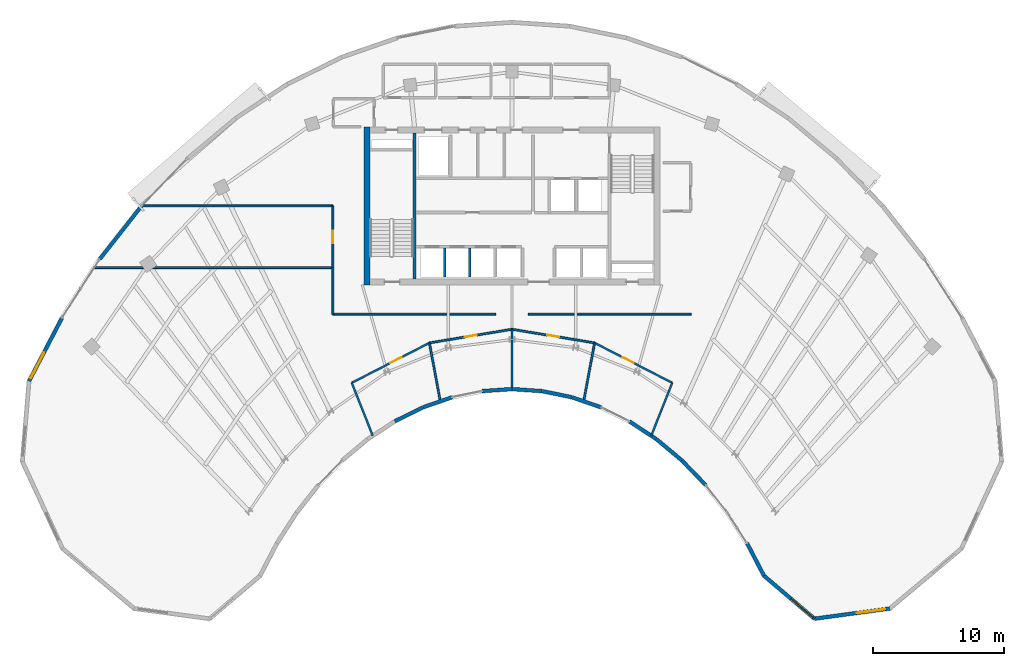
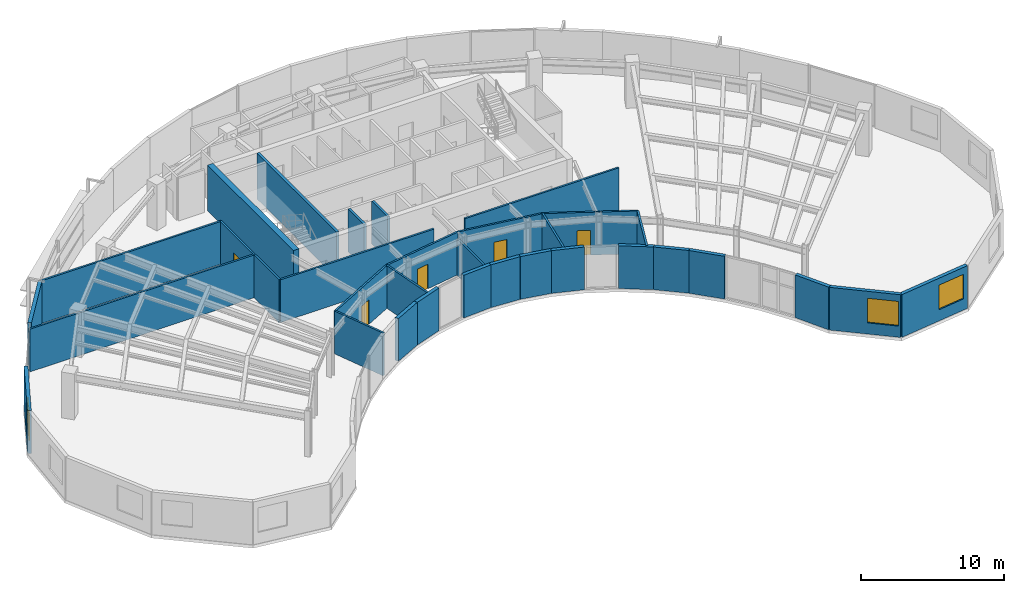
# One storey, part 8 of 14: 33 walls, 5 doors, 3 windows, 8 openings.
"""IFC4 building model written with IfcOpenShell, lengths in metres."""

from ifc_helpers import new_model, si_unit, direction, frame, frame_2d, origin, place, context, subcontext, project, spatial, rectangle, extrude, source, transform, mapped, material, layer, layer_set, type_object, type_shapes, element, fill, save


model = new_model("IFC4")

# Units and contexts
model_context = context("Model", 3, precision=1e-05, world=origin(), true_north=direction((0.0, 1.0)))
body_context = subcontext(model_context, "Body", "Model", "MODEL_VIEW")
ifc_project = project(units=[si_unit("LENGTHUNIT", "METRE"), si_unit("AREAUNIT", "SQUARE_METRE"), si_unit("VOLUMEUNIT", "CUBIC_METRE"), si_unit("PLANEANGLEUNIT", "RADIAN"), si_unit("MASSUNIT", "GRAM", prefix="KILO")], contexts=[model_context])

# Site, building, storey
site_placement = place(None, origin())
site = spatial("IfcSite", under=ifc_project, at=site_placement, CompositionType="ELEMENT")
building_placement = place(site_placement, origin())
building = spatial("IfcBuilding", under=site, at=building_placement, Name="Breltana Convention Tower", CompositionType="ELEMENT")
storey_placement = place(building_placement, frame((0.0, 0.0, 211.800048828125)))
storey = spatial("IfcBuildingStorey", under=building, at=storey_placement, Name="L51", CompositionType="ELEMENT", Elevation=211.800048828125)

# Walls
ifc_material_1 = material(Name="Concrete C60/75", Category="concrete")
ifc_layer_1 = layer(ifc_material_1, 0.449951171875, Name="Concrete C60/75")
ifc_layer_set_1 = layer_set([ifc_layer_1], Name="Concrete C60/75")
wall_type_1 = type_object("IfcWallType", Name="SW-CORE-450", PredefinedType="SHEAR", material=ifc_layer_set_1)
shared_shape_1 = source(origin(), body_context, "Body", "SweptSolid", [
    extrude(rectangle(XDim=12.0, YDim=0.449951171875, at=frame_2d((6.0, 0.0))), origin(), (0.0, 0.0, 1.0), 3.89990234375),
])
wall_1_placement = place(storey_placement, frame((36.97509765625, 60.199951171875, 0.0), z_axis=(0.0, 0.0, 1.0), x_axis=(0.0, 1.0, 0.0)))
element("IfcWall", 1, at=wall_1_placement, inside=storey, type_object=wall_type_1, Name="L51 West Core Shear Wall", PredefinedType="SHEAR", context=body_context, shape_type="MappedRepresentation", body=[
    mapped(shared_shape_1, transform((0.0, 0.0, 0.0), scale=1.0)),
])
ifc_material_2 = material(Name="Concrete C50/60", Category="concrete")
ifc_layer_2 = layer(ifc_material_2, 0.39990234375, Name="Concrete C50/60")
ifc_layer_set_2 = layer_set([ifc_layer_2], Name="Concrete C50/60")
wall_type_2 = type_object("IfcWallType", Name="SW-CORE-400", PredefinedType="SHEAR", material=ifc_layer_set_2)
shared_shape_2 = source(origin(), body_context, "Body", "SweptSolid", [
    extrude(rectangle(XDim=11.10009765625, YDim=0.219970703125, at=frame_2d((5.550048828125, 0.0))), origin(), (0.0, 0.0, 1.0), 3.89990234375),
])
wall_2_placement = place(storey_placement, frame((40.580078125, 60.64990234375, 0.0), z_axis=(0.0, 0.0, 1.0), x_axis=(0.0, 1.0, 0.0)))
element("IfcWall", 2, at=wall_2_placement, inside=storey, type_object=wall_type_2, Name="L51 Core West Stair Spine Wall", PredefinedType="SHEAR", context=body_context, shape_type="MappedRepresentation", body=[
    mapped(shared_shape_2, transform((0.0, 0.0, 0.0), scale=1.0)),
])

# Wall, opening, window
ifc_material_3 = material(Name="Limestone Buff Insulated Wall", Category="masonry")
ifc_layer_3 = layer(ifc_material_3, 0.280029296875, Name="Limestone Buff Insulated Wall")
ifc_layer_set_3 = layer_set([ifc_layer_3], Name="Limestone Buff Insulated Wall")
wall_type_3 = type_object("IfcWallType", Name="WL-EXT-NOSE-280", PredefinedType="SOLIDWALL", material=ifc_layer_set_3)
shared_shape_3 = source(origin(), body_context, "Body", "SweptSolid", [
    extrude(rectangle(XDim=5.771240234375, YDim=0.280029296875, at=frame_2d((2.8857421875, 0.0))), origin(), (0.0, 0.0, 1.0), 3.639892578125),
])
wall_3_placement = place(storey_placement, frame((76.74951171875, 35.559814453125, 0.0), z_axis=(0.0, 0.0, 1.0), x_axis=(-0.990933615537, -0.134352408237, 0.0)))
wall_3 = element("IfcWall", 3, at=wall_3_placement, inside=storey, type_object=wall_type_3, Name="L51 curved limestone nose wall E4", PredefinedType="SOLIDWALL", context=body_context, shape_type="MappedRepresentation", body=[
    mapped(shared_shape_3, transform((0.0, 0.0, 0.0), scale=1.0)),
])
opening_1_placement = place(wall_3_placement, frame((0.343017578125, 0.0, 0.949951171875)))
opening_1 = element("IfcOpeningElement", 4, at=opening_1_placement, cuts=wall_3, Name="Opening W-03", PredefinedType="OPENING", context=body_context, shape_type="SweptSolid", body=[
    extrude(rectangle(XDim=2.199951171875, YDim=2.10009765625, at=frame_2d((1.10009765625, 1.050048828125))), frame((0.0, 0.14990234375, 0.0), z_axis=(0.0, -1.0, 0.0), x_axis=(1.0, 0.0, 0.0)), (0.0, 0.0, 1.0), 0.300048828125),
])
ifc_material_4 = material(Name="Glass Low-E Insulated Window", Category="glass")
window_type = type_object("IfcWindowType", Name="WN-NOSE-2200X2100", PartitioningType="TRIPLE_PANEL_VERTICAL", PredefinedType="WINDOW", material=ifc_material_4)
shared_shape_4 = source(origin(), body_context, "Body", "SweptSolid", [
    extrude(rectangle(XDim=2.199951171875, YDim=2.10009765625, at=frame_2d((1.10009765625, 1.050048828125))), frame((0.0, 0.030029296875, 0.0), z_axis=(0.0, -1.0, 0.0), x_axis=(1.0, 0.0, 0.0)), (0.0, 0.0, 1.0), 0.06005859375),
])
type_shapes(window_type, [shared_shape_4])
window_1_placement = place(opening_1_placement, origin())
window_1 = element("IfcWindow", 5, at=window_1_placement, inside=storey, type_object=window_type, Name="L51 nose window E4", OverallHeight=2.10009765625, OverallWidth=2.199951171875, PartitioningType="TRIPLE_PANEL_VERTICAL", PredefinedType="WINDOW", context=body_context, shape_type="MappedRepresentation", body=[
    mapped(shared_shape_4, transform((0.0, 0.0, 0.0), scale=1.0)),
])
fill(opening_1, window_1)

shared_shape_5 = source(origin(), body_context, "Body", "SweptSolid", [
    extrude(rectangle(XDim=5.051025390625, YDim=0.280029296875, at=frame_2d((2.525390625, 0.0))), origin(), (0.0, 0.0, 1.0), 3.639892578125),
])
wall_4_placement = place(storey_placement, frame((71.030517578125, 34.784423828125, 0.0), z_axis=(0.0, 0.0, 1.0), x_axis=(-0.761904731537, 0.647689107568, 0.0)))
wall_4 = element("IfcWall", 6, at=wall_4_placement, inside=storey, type_object=wall_type_3, Name="L51 curved limestone nose wall E5", PredefinedType="SOLIDWALL", context=body_context, shape_type="MappedRepresentation", body=[
    mapped(shared_shape_5, transform((0.0, 0.0, 0.0), scale=1.0)),
])
opening_2_placement = place(wall_4_placement, frame((0.16259765625, 0.0, 0.949951171875)))
opening_2 = element("IfcOpeningElement", 7, at=opening_2_placement, cuts=wall_4, Name="Opening W-03", PredefinedType="OPENING", context=body_context, shape_type="SweptSolid", body=[
    extrude(rectangle(XDim=2.199951171875, YDim=2.10009765625, at=frame_2d((1.10009765625, 1.050048828125))), frame((0.0, 0.14990234375, 0.0), z_axis=(0.0, -1.0, 0.0), x_axis=(1.0, 0.0, 0.0)), (0.0, 0.0, 1.0), 0.300048828125),
])
window_2_placement = place(opening_2_placement, origin())
window_2 = element("IfcWindow", 8, at=window_2_placement, inside=storey, type_object=window_type, Name="L51 nose window E5", OverallHeight=2.10009765625, OverallWidth=2.199951171875, PartitioningType="TRIPLE_PANEL_VERTICAL", PredefinedType="WINDOW", context=body_context, shape_type="MappedRepresentation", body=[
    mapped(shared_shape_4, transform((0.0, 0.0, 0.0), scale=1.0)),
])
fill(opening_2, window_2)

# Walls
shared_shape_6 = source(origin(), body_context, "Body", "SweptSolid", [
    extrude(rectangle(XDim=2.779296875, YDim=0.280029296875, at=frame_2d((1.3896484375, 0.0))), origin(), (0.0, 0.0, 1.0), 3.639892578125),
])
wall_5_placement = place(storey_placement, frame((67.18212890625, 38.055908203125, 0.0), z_axis=(0.0, 0.0, 1.0), x_axis=(-0.461770308601, 0.886999538948, 0.0)))
element("IfcWall", 9, at=wall_5_placement, inside=storey, type_object=wall_type_3, Name="L51 curved limestone nose wall E6", PredefinedType="SOLIDWALL", context=body_context, shape_type="MappedRepresentation", body=[
    mapped(shared_shape_6, transform((0.0, 0.0, 0.0), scale=1.0)),
])
shared_shape_7 = source(origin(), body_context, "Body", "SweptSolid", [
    extrude(rectangle(XDim=2.587646484375, YDim=0.280029296875, at=frame_2d((1.2939453125, 0.0))), origin(), (0.0, 0.0, 1.0), 3.639892578125),
])
wall_6_placement = place(storey_placement, frame((62.739501953125, 44.96630859375, 0.0), z_axis=(0.0, 0.0, 1.0), x_axis=(-0.694687114507, 0.719312041424, 0.0)))
element("IfcWall", 10, at=wall_6_placement, inside=storey, type_object=wall_type_3, Name="L51 curved limestone nose wall E7", PredefinedType="SOLIDWALL", context=body_context, shape_type="MappedRepresentation", body=[
    mapped(shared_shape_7, transform((0.0, 0.0, 0.0), scale=1.0)),
])
shared_shape_8 = source(origin(), body_context, "Body", "SweptSolid", [
    extrude(rectangle(XDim=2.51123046875, YDim=0.280029296875, at=frame_2d((1.255615234375, 0.0))), origin(), (0.0, 0.0, 1.0), 3.639892578125),
])
wall_7_placement = place(storey_placement, frame((60.927734375, 46.8408203125, 0.0), z_axis=(0.0, 0.0, 1.0), x_axis=(-0.767910416122, 0.640557251782, 0.0)))
element("IfcWall", 11, at=wall_7_placement, inside=storey, type_object=wall_type_3, Name="L51 curved limestone nose wall E8", PredefinedType="SOLIDWALL", context=body_context, shape_type="MappedRepresentation", body=[
    mapped(shared_shape_8, transform((0.0, 0.0, 0.0), scale=1.0)),
])
shared_shape_9 = source(origin(), body_context, "Body", "SweptSolid", [
    extrude(rectangle(XDim=2.440185546875, YDim=0.280029296875, at=frame_2d((1.22021484375, 0.0))), origin(), (0.0, 0.0, 1.0), 3.639892578125),
])
wall_8_placement = place(storey_placement, frame((58.98291015625, 48.461669921875, 0.0), z_axis=(0.0, 0.0, 1.0), x_axis=(-0.83598480459, 0.548752591333, 0.0)))
element("IfcWall", 12, at=wall_8_placement, inside=storey, type_object=wall_type_3, Name="L51 curved limestone nose wall E9", PredefinedType="SOLIDWALL", context=body_context, shape_type="MappedRepresentation", body=[
    mapped(shared_shape_9, transform((0.0, 0.0, 0.0), scale=1.0)),
])
shared_shape_10 = source(origin(), body_context, "Body", "SweptSolid", [
    extrude(rectangle(XDim=2.327880859375, YDim=0.280029296875, at=frame_2d((1.1640625, 0.0))), origin(), (0.0, 0.0, 1.0), 3.639892578125),
])
for number, where, z_axis, x_axis, name in (
    (13, (54.7724609375, 50.87646484375, 0.0), (0.0, 0.0, 1.0), (-0.944872545641, 0.32743834915, 0.0), "L51 curved limestone nose wall E10"),
    (14, (43.427001953125, 51.638671875, 0.0), (0.0, 0.0, 1.0), (-0.944872545641, -0.32743834915, 0.0), "L51 curved limestone nose wall E14"),
):
    element("IfcWall", number, at=place(storey_placement, frame(where, z_axis=z_axis, x_axis=x_axis)), inside=storey, type_object=wall_type_3, Name=name, PredefinedType="SOLIDWALL", context=body_context, shape_type="MappedRepresentation", body=[
        mapped(shared_shape_10, transform((0.0, 0.0, 0.0), scale=1.0)),
    ])
shared_shape_11 = source(origin(), body_context, "Body", "SweptSolid", [
    extrude(rectangle(XDim=2.2919921875, YDim=0.280029296875, at=frame_2d((1.14599609375, 0.0))), origin(), (0.0, 0.0, 1.0), 3.639892578125),
])
wall_9_placement = place(storey_placement, frame((52.55029296875, 51.64501953125, 0.0), z_axis=(0.0, 0.0, 1.0), x_axis=(-0.979635482689, 0.200784264963, 0.0)))
element("IfcWall", 15, at=wall_9_placement, inside=storey, type_object=wall_type_3, Name="L51 curved limestone nose wall E11", PredefinedType="SOLIDWALL", context=body_context, shape_type="MappedRepresentation", body=[
    mapped(shared_shape_11, transform((0.0, 0.0, 0.0), scale=1.0)),
])
shared_shape_12 = source(origin(), body_context, "Body", "SweptSolid", [
    extrude(rectangle(XDim=2.27392578125, YDim=0.280029296875, at=frame_2d((1.136962890625, 0.0))), origin(), (0.0, 0.0, 1.0), 3.639892578125),
])
for number, where, z_axis, x_axis, name in (
    (16, (50.281005859375, 52.108642578125, 0.0), (0.0, 0.0, 1.0), (-0.997702696995, 0.067744582138, 0.0), "L51 curved limestone nose wall E12"),
    (17, (47.98779296875, 52.2626953125, 0.0), (0.0, 0.0, 1.0), (-0.997702696995, -0.067744582138, 0.0), "L51 curved limestone nose wall E13"),
):
    element("IfcWall", number, at=place(storey_placement, frame(where, z_axis=z_axis, x_axis=x_axis)), inside=storey, type_object=wall_type_3, Name=name, PredefinedType="SOLIDWALL", context=body_context, shape_type="MappedRepresentation", body=[
        mapped(shared_shape_12, transform((0.0, 0.0, 0.0), scale=1.0)),
    ])
shared_shape_13 = source(origin(), body_context, "Body", "SweptSolid", [
    extrude(rectangle(XDim=2.377685546875, YDim=0.280029296875, at=frame_2d((1.18896484375, 0.0))), origin(), (0.0, 0.0, 1.0), 3.639892578125),
])
wall_10_placement = place(storey_placement, frame((41.20654296875, 50.86767578125, 0.0), z_axis=(0.0, 0.0, 1.0), x_axis=(-0.895941616831, -0.444171835252, 0.0)))
element("IfcWall", 18, at=wall_10_placement, inside=storey, type_object=wall_type_3, Name="L51 curved limestone nose wall E15", PredefinedType="SOLIDWALL", context=body_context, shape_type="MappedRepresentation", body=[
    mapped(shared_shape_13, transform((0.0, 0.0, 0.0), scale=1.0)),
])

# Wall, opening, window
shared_shape_14 = source(origin(), body_context, "Body", "SweptSolid", [
    extrude(rectangle(XDim=5.41552734375, YDim=0.280029296875, at=frame_2d((2.707763671875, 0.0))), origin(), (0.0, 0.0, 1.0), 3.639892578125),
])
wall_11_placement = place(storey_placement, frame((11.243896484375, 52.87353515625, 0.0), z_axis=(0.0, 0.0, 1.0), x_axis=(0.46177852435, 0.886995261796, 0.0)))
wall_11 = element("IfcWall", 19, at=wall_11_placement, inside=storey, type_object=wall_type_3, Name="L51 curved limestone nose wall W7", PredefinedType="SOLIDWALL", context=body_context, shape_type="MappedRepresentation", body=[
    mapped(shared_shape_14, transform((0.0, 0.0, 0.0), scale=1.0)),
])
opening_3_placement = place(wall_11_placement, frame((0.25390625, 0.0, 0.949951171875)))
opening_3 = element("IfcOpeningElement", 20, at=opening_3_placement, cuts=wall_11, Name="Opening W-03", PredefinedType="OPENING", context=body_context, shape_type="SweptSolid", body=[
    extrude(rectangle(XDim=2.199951171875, YDim=2.10009765625, at=frame_2d((1.10009765625, 1.050048828125))), frame((0.0, 0.14990234375, 0.0), z_axis=(0.0, -1.0, 0.0), x_axis=(1.0, 0.0, 0.0)), (0.0, 0.0, 1.0), 0.300048828125),
])
window_3_placement = place(opening_3_placement, origin())
window_3 = element("IfcWindow", 21, at=window_3_placement, inside=storey, type_object=window_type, Name="L51 nose window W7", OverallHeight=2.10009765625, OverallWidth=2.199951171875, PartitioningType="TRIPLE_PANEL_VERTICAL", PredefinedType="WINDOW", context=body_context, shape_type="MappedRepresentation", body=[
    mapped(shared_shape_4, transform((0.0, 0.0, 0.0), scale=1.0)),
])
fill(opening_3, window_3)

# Walls
shared_shape_15 = source(origin(), body_context, "Body", "SweptSolid", [
    extrude(rectangle(XDim=5.153076171875, YDim=0.280029296875, at=frame_2d((2.57666015625, 0.0))), origin(), (0.0, 0.0, 1.0), 3.639892578125),
])
wall_12_placement = place(storey_placement, frame((16.609130859375, 62.1396484375, 0.0), z_axis=(0.0, 0.0, 1.0), x_axis=(0.618179283891, 0.786037132054, 0.0)))
element("IfcWall", 22, at=wall_12_placement, inside=storey, type_object=wall_type_3, Name="L51 curved limestone nose wall E20", PredefinedType="SOLIDWALL", context=body_context, shape_type="MappedRepresentation", body=[
    mapped(shared_shape_15, transform((0.0, 0.0, 0.0), scale=1.0)),
])
ifc_material_5 = material(Name="Autoclaved Aerated Concrete Block", Category="concrete")
ifc_layer_4 = layer(ifc_material_5, 0.199951171875, Name="Autoclaved Aerated Concrete Block")
ifc_layer_set_4 = layer_set([ifc_layer_4], Name="Autoclaved Aerated Concrete Block")
wall_type_4 = type_object("IfcWallType", Name="WL-SHAFT-200", PredefinedType="SOLIDWALL", material=ifc_layer_set_4)
shared_shape_16 = source(origin(), body_context, "Body", "SweptSolid", [
    extrude(rectangle(XDim=2.199951171875, YDim=0.199951171875, at=frame_2d((1.10009765625, 0.0))), origin(), (0.0, 0.0, 1.0), 3.639892578125),
])
for number, where, z_axis, x_axis, name in (
    (23, (42.8701171875, 60.800048828125, 0.0), (0.0, 0.0, 1.0), (0.0, 1.0, 0.0), "L51 interior partition W-L51-SH-S-DIV1"),
    (24, (44.77001953125, 60.800048828125, 0.0), (0.0, 0.0, 1.0), (0.0, 1.0, 0.0), "L51 interior partition W-L51-SH-S-DIV2"),
):
    element("IfcWall", number, at=place(storey_placement, frame(where, z_axis=z_axis, x_axis=x_axis)), inside=storey, type_object=wall_type_4, Name=name, PredefinedType="SOLIDWALL", context=body_context, shape_type="MappedRepresentation", body=[
        mapped(shared_shape_16, transform((0.0, 0.0, 0.0), scale=1.0)),
    ])

# Wall, opening, door
ifc_material_6 = material(Name="Gypsum Acoustic Drywall Partition")
ifc_layer_5 = layer(ifc_material_6, 0.14990234375, Name="Gypsum Acoustic Drywall Partition")
ifc_layer_set_5 = layer_set([ifc_layer_5], Name="Gypsum Acoustic Drywall Partition")
wall_type_5 = type_object("IfcWallType", Name="WL-PART-150", PredefinedType="PARTITIONING", material=ifc_layer_set_5)
shared_shape_17 = source(origin(), body_context, "Body", "SweptSolid", [
    extrude(rectangle(XDim=6.64794921875, YDim=0.14990234375, at=frame_2d((3.323974609375, 0.0))), origin(), (0.0, 0.0, 1.0), 3.639892578125),
])
wall_13_placement = place(storey_placement, frame((35.802978515625, 52.73828125, 0.0), z_axis=(0.0, 0.0, 1.0), x_axis=(0.889264330224, 0.457393649925, 0.0)))
wall_13 = element("IfcWall", 25, at=wall_13_placement, inside=storey, type_object=wall_type_5, Name="L51 interior partition W-L51-ES1-COR", PredefinedType="PARTITIONING", context=body_context, shape_type="MappedRepresentation", body=[
    mapped(shared_shape_17, transform((0.0, 0.0, 0.0), scale=1.0)),
])
opening_4_placement = place(wall_13_placement, frame((3.299072265625, 0.0, 0.0)))
opening_4 = element("IfcOpeningElement", 26, at=opening_4_placement, cuts=wall_13, Name="Opening D-17", PredefinedType="OPENING", context=body_context, shape_type="SweptSolid", body=[
    extrude(rectangle(XDim=0.949951171875, YDim=2.10009765625, at=frame_2d((0.47509765625, 1.050048828125))), frame((0.0, 0.0849609375, 0.0), z_axis=(0.0, -1.0, 0.0), x_axis=(1.0, 0.0, 0.0)), (0.0, 0.0, 1.0), 0.169921875),
])
ifc_material_7 = material(Name="Timber Oak Veneer Door", Category="wood")
door_type = type_object("IfcDoorType", Name="DR-INT-950", OperationType="NOTDEFINED", PredefinedType="DOOR", material=ifc_material_7)
shared_shape_18 = source(origin(), body_context, "Body", "SweptSolid", [
    extrude(rectangle(XDim=0.949951171875, YDim=2.10009765625, at=frame_2d((0.47509765625, 1.050048828125))), frame((0.0, 0.02490234375, 0.0), z_axis=(0.0, -1.0, 0.0), x_axis=(1.0, 0.0, 0.0)), (0.0, 0.0, 1.0), 0.050048828125),
])
type_shapes(door_type, [shared_shape_18])
door_1_placement = place(opening_4_placement, origin())
door_1 = element("IfcDoor", 27, at=door_1_placement, inside=storey, type_object=door_type, Name="L51 interior door D-L51-ES1", OperationType="SINGLE_SWING_LEFT", OverallHeight=2.10009765625, OverallWidth=0.949951171875, PredefinedType="DOOR", context=body_context, shape_type="MappedRepresentation", body=[
    mapped(shared_shape_18, transform((0.0, 0.0, 0.0), scale=1.0)),
])
fill(opening_4, door_1)

wall_14_placement = place(storey_placement, frame((54.28515625, 55.779052734375, 0.0), z_axis=(0.0, 0.0, 1.0), x_axis=(0.889264330224, -0.457393649925, 0.0)))
wall_14 = element("IfcWall", 28, at=wall_14_placement, inside=storey, type_object=wall_type_5, Name="L51 interior partition W-L51-ES4-COR", PredefinedType="PARTITIONING", context=body_context, shape_type="MappedRepresentation", body=[
    mapped(shared_shape_17, transform((0.0, 0.0, 0.0), scale=1.0)),
])
opening_5_placement = place(wall_14_placement, frame((2.39892578125, 0.0, 0.0)))
opening_5 = element("IfcOpeningElement", 29, at=opening_5_placement, cuts=wall_14, Name="Opening D-17", PredefinedType="OPENING", context=body_context, shape_type="SweptSolid", body=[
    extrude(rectangle(XDim=0.949951171875, YDim=2.10009765625, at=frame_2d((0.47509765625, 1.050048828125))), frame((0.0, 0.0849609375, 0.0), z_axis=(0.0, -1.0, 0.0), x_axis=(1.0, 0.0, 0.0)), (0.0, 0.0, 1.0), 0.169921875),
])
door_2_placement = place(opening_5_placement, origin())
door_2 = element("IfcDoor", 30, at=door_2_placement, inside=storey, type_object=door_type, Name="L51 interior door D-L51-ES4", OperationType="SINGLE_SWING_RIGHT", OverallHeight=2.10009765625, OverallWidth=0.949951171875, PredefinedType="DOOR", context=body_context, shape_type="MappedRepresentation", body=[
    mapped(shared_shape_18, transform((0.0, 0.0, 0.0), scale=1.0)),
])
fill(opening_5, door_2)

# Walls
shared_shape_19 = source(origin(), body_context, "Body", "SweptSolid", [
    extrude(rectangle(XDim=4.3203125, YDim=0.14990234375, at=frame_2d((2.16015625, 0.0))), origin(), (0.0, 0.0, 1.0), 3.639892578125),
])
for number, where, z_axis, x_axis, name in (
    (31, (37.396484375, 48.72265625, 0.0), (0.0, 0.0, 1.0), (-0.368846295269, 0.929490403644, 0.0), "L51 interior partition W-L51-ES1-RA"),
    (32, (58.603515625, 48.72265625, 0.0), (0.0, 0.0, 1.0), (0.368846295269, 0.929490403644, 0.0), "L51 interior partition W-L51-ES4-RB"),
):
    element("IfcWall", number, at=place(storey_placement, frame(where, z_axis=z_axis, x_axis=x_axis)), inside=storey, type_object=wall_type_5, Name=name, PredefinedType="PARTITIONING", context=body_context, shape_type="MappedRepresentation", body=[
        mapped(shared_shape_19, transform((0.0, 0.0, 0.0), scale=1.0)),
    ])
shared_shape_20 = source(origin(), body_context, "Body", "SweptSolid", [
    extrude(rectangle(XDim=4.51318359375, YDim=0.14990234375, at=frame_2d((2.256591796875, 0.0))), origin(), (0.0, 0.0, 1.0), 3.639892578125),
])
for number, where, z_axis, x_axis, name in (
    (33, (42.54052734375, 51.342041015625, 0.0), (0.0, 0.0, 1.0), (-0.182949257828, 0.983122357115, 0.0), "L51 interior partition W-L51-ES1-RB"),
    (34, (53.45947265625, 51.342041015625, 0.0), (0.0, 0.0, 1.0), (0.182949257828, 0.983122357115, 0.0), "L51 interior partition W-L51-ES3-RB"),
):
    element("IfcWall", number, at=place(storey_placement, frame(where, z_axis=z_axis, x_axis=x_axis)), inside=storey, type_object=wall_type_5, Name=name, PredefinedType="PARTITIONING", context=body_context, shape_type="MappedRepresentation", body=[
        mapped(shared_shape_20, transform((0.0, 0.0, 0.0), scale=1.0)),
    ])

# Wall, opening, door
shared_shape_21 = source(origin(), body_context, "Body", "SweptSolid", [
    extrude(rectangle(XDim=6.36962890625, YDim=0.14990234375, at=frame_2d((3.184814453125, 0.0))), origin(), (0.0, 0.0, 1.0), 3.639892578125),
])
wall_15_placement = place(storey_placement, frame((41.71484375, 55.779052734375, 0.0), z_axis=(0.0, 0.0, 1.0), x_axis=(0.986731594983, 0.162359968783, 0.0)))
wall_15 = element("IfcWall", 35, at=wall_15_placement, inside=storey, type_object=wall_type_5, Name="L51 interior partition W-L51-ES2-COR", PredefinedType="PARTITIONING", context=body_context, shape_type="MappedRepresentation", body=[
    mapped(shared_shape_21, transform((0.0, 0.0, 0.0), scale=1.0)),
])
opening_6_placement = place(wall_15_placement, frame((2.709716796875, 0.0, 0.0)))
opening_6 = element("IfcOpeningElement", 36, at=opening_6_placement, cuts=wall_15, Name="Opening D-17", PredefinedType="OPENING", context=body_context, shape_type="SweptSolid", body=[
    extrude(rectangle(XDim=0.949951171875, YDim=2.10009765625, at=frame_2d((0.47509765625, 1.050048828125))), frame((0.0, 0.0849609375, 0.0), z_axis=(0.0, -1.0, 0.0), x_axis=(1.0, 0.0, 0.0)), (0.0, 0.0, 1.0), 0.169921875),
])
door_3_placement = place(opening_6_placement, origin())
door_3 = element("IfcDoor", 37, at=door_3_placement, inside=storey, type_object=door_type, Name="L51 interior door D-L51-ES2", OperationType="SINGLE_SWING_RIGHT", OverallHeight=2.10009765625, OverallWidth=0.949951171875, PredefinedType="DOOR", context=body_context, shape_type="MappedRepresentation", body=[
    mapped(shared_shape_18, transform((0.0, 0.0, 0.0), scale=1.0)),
])
fill(opening_6, door_3)

wall_16_placement = place(storey_placement, frame((48.0, 56.813232421875, 0.0), z_axis=(0.0, 0.0, 1.0), x_axis=(0.986731594983, -0.162359968783, 0.0)))
wall_16 = element("IfcWall", 38, at=wall_16_placement, inside=storey, type_object=wall_type_5, Name="L51 interior partition W-L51-ES3-COR", PredefinedType="PARTITIONING", context=body_context, shape_type="MappedRepresentation", body=[
    mapped(shared_shape_21, transform((0.0, 0.0, 0.0), scale=1.0)),
])
opening_7_placement = place(wall_16_placement, frame((2.709716796875, 0.0, 0.0)))
opening_7 = element("IfcOpeningElement", 39, at=opening_7_placement, cuts=wall_16, Name="Opening D-17", PredefinedType="OPENING", context=body_context, shape_type="SweptSolid", body=[
    extrude(rectangle(XDim=0.949951171875, YDim=2.10009765625, at=frame_2d((0.47509765625, 1.050048828125))), frame((0.0, 0.0849609375, 0.0), z_axis=(0.0, -1.0, 0.0), x_axis=(1.0, 0.0, 0.0)), (0.0, 0.0, 1.0), 0.169921875),
])
door_4_placement = place(opening_7_placement, origin())
door_4 = element("IfcDoor", 40, at=door_4_placement, inside=storey, type_object=door_type, Name="L51 interior door D-L51-ES3", OperationType="SINGLE_SWING_LEFT", OverallHeight=2.10009765625, OverallWidth=0.949951171875, PredefinedType="DOOR", context=body_context, shape_type="MappedRepresentation", body=[
    mapped(shared_shape_18, transform((0.0, 0.0, 0.0), scale=1.0)),
])
fill(opening_7, door_4)

# Walls
shared_shape_22 = source(origin(), body_context, "Body", "SweptSolid", [
    extrude(rectangle(XDim=4.54052734375, YDim=0.14990234375, at=frame_2d((2.270263671875, 0.0))), origin(), (0.0, 0.0, 1.0), 3.0849609375),
])
wall_17_placement = place(storey_placement, frame((48.0, 52.272705078125, 0.0), z_axis=(0.0, 0.0, 1.0), x_axis=(0.0, 1.0, 0.0)))
element("IfcWall", 41, at=wall_17_placement, inside=storey, type_object=wall_type_5, Name="L51 interior partition W-L51-ES2-RB", PredefinedType="PARTITIONING", context=body_context, shape_type="MappedRepresentation", body=[
    mapped(shared_shape_22, transform((0.0, 0.0, 0.0), scale=1.0)),
])
shared_shape_23 = source(origin(), body_context, "Body", "SweptSolid", [
    extrude(rectangle(XDim=12.389892578125, YDim=0.14990234375, at=frame_2d((6.19482421875, 0.0))), origin(), (0.0, 0.0, 1.0), 3.639892578125),
])
for number, where, z_axis, x_axis, name in (
    (42, (34.360107421875, 57.9599609375, 0.0), (0.0, 0.0, 1.0), (1.0, 0.0, 0.0), "L51 interior partition W-L51-Z45-CSW"),
    (43, (49.25, 57.9599609375, 0.0), (0.0, 0.0, 1.0), (1.0, 0.0, 0.0), "L51 interior partition W-L51-Z45-CSE"),
):
    element("IfcWall", number, at=place(storey_placement, frame(where, z_axis=z_axis, x_axis=x_axis)), inside=storey, type_object=wall_type_5, Name=name, PredefinedType="PARTITIONING", context=body_context, shape_type="MappedRepresentation", body=[
        mapped(shared_shape_23, transform((0.0, 0.0, 0.0), scale=1.0)),
    ])
shared_shape_24 = source(origin(), body_context, "Body", "SweptSolid", [
    extrude(rectangle(XDim=18.149658203125, YDim=0.14990234375, at=frame_2d((9.07470703125, 0.0))), origin(), (0.0, 0.0, 1.0), 3.639892578125),
])
wall_18_placement = place(storey_placement, frame((16.21044921875, 61.5, 0.0), z_axis=(0.0, 0.0, 1.0), x_axis=(1.0, 0.0, 0.0)))
element("IfcWall", 44, at=wall_18_placement, inside=storey, type_object=wall_type_5, Name="L51 interior partition W-L51-EXW1-N", PredefinedType="PARTITIONING", context=body_context, shape_type="MappedRepresentation", body=[
    mapped(shared_shape_24, transform((0.0, 0.0, 0.0), scale=1.0)),
])
shared_shape_25 = source(origin(), body_context, "Body", "SweptSolid", [
    extrude(rectangle(XDim=3.5400390625, YDim=0.14990234375, at=frame_2d((1.77001953125, 0.0))), origin(), (0.0, 0.0, 1.0), 3.639892578125),
])
wall_19_placement = place(storey_placement, frame((34.360107421875, 57.9599609375, 0.0), z_axis=(0.0, 0.0, 1.0), x_axis=(0.0, 1.0, 0.0)))
element("IfcWall", 45, at=wall_19_placement, inside=storey, type_object=wall_type_5, Name="L51 interior partition W-L51-EXW1-ENT", PredefinedType="PARTITIONING", context=body_context, shape_type="MappedRepresentation", body=[
    mapped(shared_shape_25, transform((0.0, 0.0, 0.0), scale=1.0)),
])
shared_shape_26 = source(origin(), body_context, "Body", "SweptSolid", [
    extrude(rectangle(XDim=14.542236328125, YDim=0.14990234375, at=frame_2d((7.27099609375, 0.0))), origin(), (0.0, 0.0, 1.0), 3.639892578125),
])
wall_20_placement = place(storey_placement, frame((19.81787109375, 66.199951171875, 0.0), z_axis=(0.0, 0.0, 1.0), x_axis=(1.0, 0.0, 0.0)))
element("IfcWall", 46, at=wall_20_placement, inside=storey, type_object=wall_type_5, Name="L51 interior partition W-L51-EXW2-N", PredefinedType="PARTITIONING", context=body_context, shape_type="MappedRepresentation", body=[
    mapped(shared_shape_26, transform((0.0, 0.0, 0.0), scale=1.0)),
])

# Wall, opening, door
shared_shape_27 = source(origin(), body_context, "Body", "SweptSolid", [
    extrude(rectangle(XDim=4.699951171875, YDim=0.14990234375, at=frame_2d((2.35009765625, 0.0))), origin(), (0.0, 0.0, 1.0), 3.639892578125),
])
wall_21_placement = place(storey_placement, frame((34.360107421875, 61.5, 0.0), z_axis=(0.0, 0.0, 1.0), x_axis=(0.0, 1.0, 0.0)))
wall_21 = element("IfcWall", 47, at=wall_21_placement, inside=storey, type_object=wall_type_5, Name="L51 interior partition W-L51-EXW2-ENT", PredefinedType="PARTITIONING", context=body_context, shape_type="MappedRepresentation", body=[
    mapped(shared_shape_27, transform((0.0, 0.0, 0.0), scale=1.0)),
])
opening_8_placement = place(wall_21_placement, frame((1.875, 0.0, 0.0)))
opening_8 = element("IfcOpeningElement", 48, at=opening_8_placement, cuts=wall_21, Name="Opening D-17", PredefinedType="OPENING", context=body_context, shape_type="SweptSolid", body=[
    extrude(rectangle(XDim=0.949951171875, YDim=2.10009765625, at=frame_2d((0.47509765625, 1.050048828125))), frame((0.0, 0.0849609375, 0.0), z_axis=(0.0, -1.0, 0.0), x_axis=(1.0, 0.0, 0.0)), (0.0, 0.0, 1.0), 0.169921875),
])
door_5_placement = place(opening_8_placement, origin())
door_5 = element("IfcDoor", 49, at=door_5_placement, inside=storey, type_object=door_type, Name="L51 interior door D-L51-EXW2", OperationType="SINGLE_SWING_RIGHT", OverallHeight=2.10009765625, OverallWidth=0.949951171875, PredefinedType="DOOR", context=body_context, shape_type="MappedRepresentation", body=[
    mapped(shared_shape_18, transform((0.0, 0.0, 0.0), scale=1.0)),
])
fill(opening_8, door_5)

save(model, "model.ifc")
